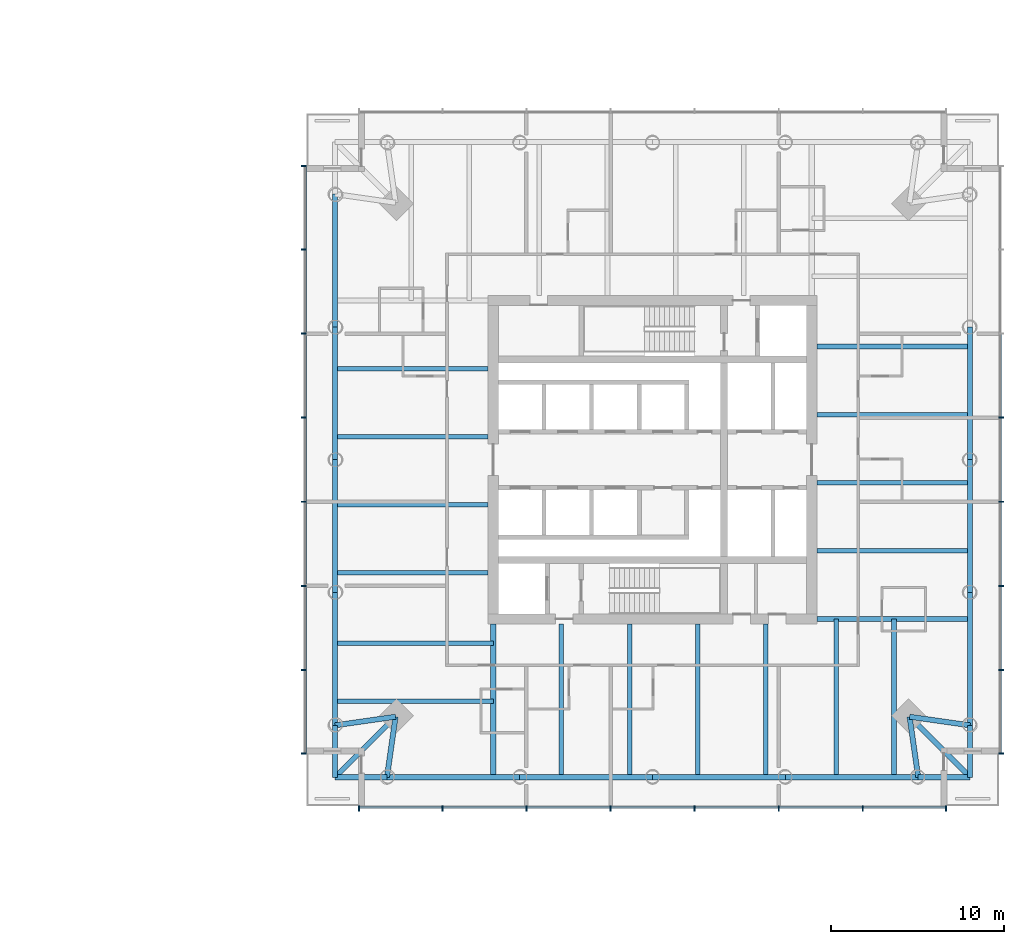
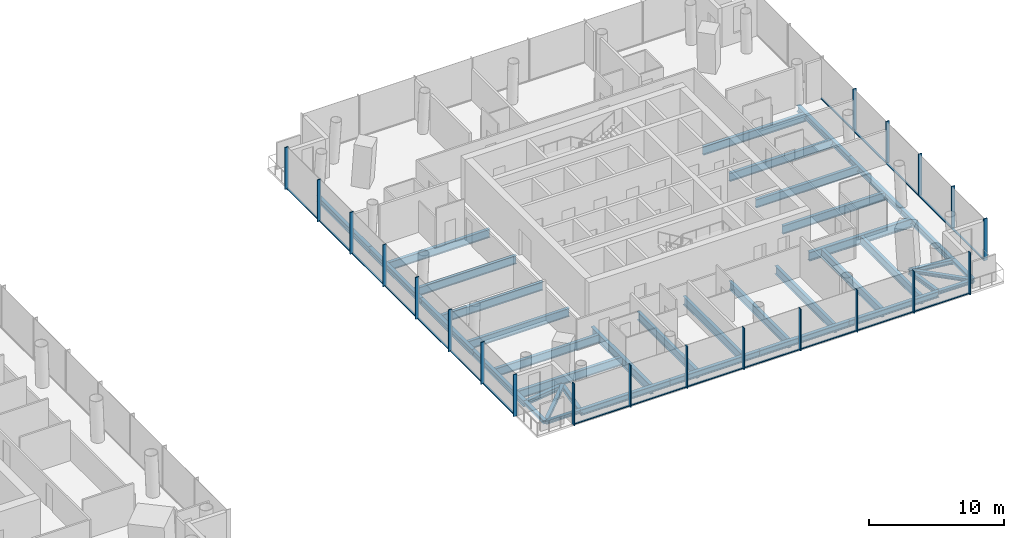
# One storey, part 5 of 26: 40 members, 39 beams, 3 elements without a shape of their own.
"""IFC4 building model written with IfcOpenShell, lengths in metres."""

from ifc_helpers import new_model, si_unit, direction, frame, origin, origin_2d, place, context, subcontext, project, spatial, rectangle, i_section, extrude, material, material_profile, profile_set, type_object, element, aggregate, save


model = new_model("IFC4")

# Units and contexts
model_context = context("Model", 3, precision=1e-05, world=origin(), true_north=direction((0.0, 1.0)))
body_context = subcontext(model_context, "Body", "Model", "MODEL_VIEW")
ifc_project = project(units=[si_unit("LENGTHUNIT", "METRE"), si_unit("AREAUNIT", "SQUARE_METRE"), si_unit("VOLUMEUNIT", "CUBIC_METRE"), si_unit("PLANEANGLEUNIT", "RADIAN"), si_unit("MASSUNIT", "GRAM", prefix="KILO")], contexts=[model_context])

# Site, building, storey
site_placement = place(None, origin())
site = spatial("IfcSite", under=ifc_project, at=site_placement, CompositionType="ELEMENT")
building_placement = place(site_placement, origin())
building = spatial("IfcBuilding", under=site, at=building_placement, Name="Ostroluk Exchange", CompositionType="ELEMENT")
storey_placement = place(building_placement, frame((0.0, 0.0, 36.199951171875)))
storey = spatial("IfcBuildingStorey", under=building, at=storey_placement, Name="L08", CompositionType="ELEMENT", Elevation=36.199951171875)

# Beams
ifc_material_1 = material(Name="Steel S355", Category="steel")
ifc_material_profile_1 = material_profile(ifc_material_1, i_section(OverallWidth=0.300048828125, OverallDepth=0.300048828125, WebThickness=0.010986328125, FlangeThickness=0.01904296875, FilletRadius=0.027099609375, at=origin_2d()), Name="HEB 300")
ifc_profile_set_1 = profile_set([ifc_material_profile_1], Name="Steel S355")
beam_type_1 = type_object("IfcBeamType", Name="Balcony beam HEB 300", PredefinedType="BEAM", material=ifc_profile_set_1)
for number, where, z_axis, x_axis, name in (
    (1, (98.6552734375, 30.6552734375, -0.349853515625), (0.0, -1.0, 0.0), (1.0, 0.0, 0.0), "T2 west balcony beam a"),
    (2, (101.6552734375, 27.6552734375, -0.349853515625), (-1.0, 0.0, 0.0), (0.0, -1.0, 0.0), "T2 west balcony beam b"),
):
    element("IfcBeam", number, at=place(storey_placement, frame(where, z_axis=z_axis, x_axis=x_axis)), inside=storey, type_object=beam_type_1, Name=name, PredefinedType="BEAM", context=body_context, shape_type="SweptSolid", body=[
        extrude(i_section(OverallWidth=0.300048828125, OverallDepth=0.300048828125, WebThickness=0.010986328125, FlangeThickness=0.01904296875, FilletRadius=0.027099609375, at=origin_2d()), origin(), (0.0, 0.0, 1.0), 3.0),
    ])
beam_1_placement = place(storey_placement, frame((102.1552734375, 31.1552734375, -0.349853515625), z_axis=(-0.707106781187, -0.707106781187, 0.0), x_axis=(0.707106781187, -0.707106781187, 0.0)))
element("IfcBeam", 3, at=beam_1_placement, inside=storey, type_object=beam_type_1, Name="T2 west balcony beam c", PredefinedType="BEAM", context=body_context, shape_type="SweptSolid", body=[
    extrude(i_section(OverallWidth=0.300048828125, OverallDepth=0.300048828125, WebThickness=0.010986328125, FlangeThickness=0.01904296875, FilletRadius=0.027099609375, at=origin_2d()), origin(), (0.0, 0.0, 1.0), 4.94970703125),
])
for number, where, z_axis, x_axis, name in (
    (4, (132.3447265625, 27.6552734375, -0.349853515625), (1.0, 0.0, 0.0), (0.0, 1.0, 0.0), "T2 south balcony beam a"),
    (5, (135.3447265625, 30.6552734375, -0.349853515625), (0.0, -1.0, 0.0), (1.0, 0.0, 0.0), "T2 south balcony beam b"),
):
    element("IfcBeam", number, at=place(storey_placement, frame(where, z_axis=z_axis, x_axis=x_axis)), inside=storey, type_object=beam_type_1, Name=name, PredefinedType="BEAM", context=body_context, shape_type="SweptSolid", body=[
        extrude(i_section(OverallWidth=0.300048828125, OverallDepth=0.300048828125, WebThickness=0.010986328125, FlangeThickness=0.01904296875, FilletRadius=0.027099609375, at=origin_2d()), origin(), (0.0, 0.0, 1.0), 3.0),
    ])
beam_2_placement = place(storey_placement, frame((131.8447265625, 31.1552734375, -0.349853515625), z_axis=(0.707106781187, -0.707106781187, 0.0), x_axis=(0.707106781187, 0.707106781187, 0.0)))
element("IfcBeam", 6, at=beam_2_placement, inside=storey, type_object=beam_type_1, Name="T2 south balcony beam c", PredefinedType="BEAM", context=body_context, shape_type="SweptSolid", body=[
    extrude(i_section(OverallWidth=0.300048828125, OverallDepth=0.300048828125, WebThickness=0.010986328125, FlangeThickness=0.01904296875, FilletRadius=0.027099609375, at=origin_2d()), origin(), (0.0, 0.0, 1.0), 4.94970703125),
])
ifc_material_2 = material(Name="Steel S355", Category="steel")
ifc_material_profile_2 = material_profile(ifc_material_2, i_section(OverallWidth=0.300048828125, OverallDepth=0.39990234375, WebThickness=0.013427734375, FlangeThickness=0.02392578125, FilletRadius=0.027099609375, at=origin_2d()), Name="HEB 400")
ifc_profile_set_2 = profile_set([ifc_material_profile_2], Name="Steel S355")
beam_type_2 = type_object("IfcBeamType", Name="Corner edge beam HEB 400", PredefinedType="SPANDREL", material=ifc_profile_set_2)
for number, where, z_axis, x_axis, name in (
    (7, (102.1552734375, 31.1552734375, -0.39990234375), (-0.989949493661, -0.141421356237, 0.0), (0.141421356237, -0.989949493661, 0.0), "T2 west corner edge beam a"),
    (8, (102.1552734375, 31.1552734375, -0.39990234375), (-0.141421356237, -0.989949493661, 0.0), (0.989949493661, -0.141421356237, 0.0), "T2 west corner edge beam b"),
    (9, (131.8447265625, 31.1552734375, -0.39990234375), (0.141421356237, -0.989949493661, 0.0), (0.989949493661, 0.141421356237, 0.0), "T2 south corner edge beam a"),
    (10, (131.8447265625, 31.1552734375, -0.39990234375), (0.989949493661, -0.141421356237, 0.0), (0.141421356237, 0.989949493661, 0.0), "T2 south corner edge beam b"),
):
    element("IfcBeam", number, at=place(storey_placement, frame(where, z_axis=z_axis, x_axis=x_axis)), inside=storey, type_object=beam_type_2, Name=name, PredefinedType="SPANDREL", context=body_context, shape_type="SweptSolid", body=[
        extrude(i_section(OverallWidth=0.300048828125, OverallDepth=0.39990234375, WebThickness=0.013427734375, FlangeThickness=0.02392578125, FilletRadius=0.027099609375, at=origin_2d()), origin(), (0.0, 0.0, 1.0), 3.53564453125),
    ])
ifc_material_3 = material(Name="Steel S355", Category="steel")
ifc_material_profile_3 = material_profile(ifc_material_3, i_section(OverallWidth=0.264892578125, OverallDepth=0.7529296875, WebThickness=0.01318359375, FlangeThickness=0.01708984375, FilletRadius=0.01708984375, at=origin_2d()), Name="IPE 750x147")
ifc_profile_set_3 = profile_set([ifc_material_profile_3], Name="Steel S355")
beam_type_3 = type_object("IfcBeamType", Name="Floor beam IPE 750x147", PredefinedType="BEAM", material=ifc_profile_set_3)
for number, where, z_axis, x_axis, name in (
    (11, (126.5, 40.73486328125, -0.576416015625), (1.0, 0.0, 0.0), (0.0, 1.0, 0.0), "T2 east floor beam 1"),
    (12, (126.5, 44.669921875, -0.576416015625), (1.0, 0.0, 0.0), (0.0, 1.0, 0.0), "T2 east floor beam 2"),
    (13, (126.5, 48.60498046875, -0.576416015625), (1.0, 0.0, 0.0), (0.0, 1.0, 0.0), "T2 east floor beam 3"),
    (14, (126.5, 52.539794921875, -0.576416015625), (1.0, 0.0, 0.0), (0.0, 1.0, 0.0), "T2 east floor beam 4"),
    (15, (107.5, 51.26513671875, -0.576416015625), (-1.0, 0.0, 0.0), (0.0, -1.0, 0.0), "T2 west floor beam 1"),
    (16, (107.5, 47.330078125, -0.576416015625), (-1.0, 0.0, 0.0), (0.0, -1.0, 0.0), "T2 west floor beam 2"),
    (17, (107.5, 43.39501953125, -0.576416015625), (-1.0, 0.0, 0.0), (0.0, -1.0, 0.0), "T2 west floor beam 3"),
    (18, (107.5, 39.460205078125, -0.576416015625), (-1.0, 0.0, 0.0), (0.0, -1.0, 0.0), "T2 west floor beam 4"),
):
    element("IfcBeam", number, at=place(storey_placement, frame(where, z_axis=z_axis, x_axis=x_axis)), inside=storey, type_object=beam_type_3, Name=name, PredefinedType="BEAM", context=body_context, shape_type="SweptSolid", body=[
        extrude(i_section(OverallWidth=0.264892578125, OverallDepth=0.7529296875, WebThickness=0.01318359375, FlangeThickness=0.01708984375, FilletRadius=0.01708984375, at=origin_2d()), origin(), (0.0, 0.0, 1.0), 8.8447265625),
    ])
for number, where, z_axis, x_axis, name in (
    (19, (107.800048828125, 35.39990234375, -0.576416015625), (-1.0, 0.0, 0.0), (0.0, -1.0, 0.0), "T2 west floor beam 5"),
    (20, (107.800048828125, 32.05517578125, -0.576416015625), (-1.0, 0.0, 0.0), (0.0, -1.0, 0.0), "T2 west floor beam 6"),
):
    element("IfcBeam", number, at=place(storey_placement, frame(where, z_axis=z_axis, x_axis=x_axis)), inside=storey, type_object=beam_type_3, Name=name, PredefinedType="BEAM", context=body_context, shape_type="SweptSolid", body=[
        extrude(i_section(OverallWidth=0.264892578125, OverallDepth=0.7529296875, WebThickness=0.01318359375, FlangeThickness=0.01708984375, FilletRadius=0.01708984375, at=origin_2d()), origin(), (0.0, 0.0, 1.0), 9.144775390625),
    ])
for number, where, z_axis, x_axis, name in (
    (21, (111.73486328125, 36.5, -0.576416015625), (0.0, -1.0, 0.0), (1.0, 0.0, 0.0), "T2 south floor beam 1"),
    (22, (115.669921875, 36.5, -0.576416015625), (0.0, -1.0, 0.0), (1.0, 0.0, 0.0), "T2 south floor beam 2"),
    (23, (119.60498046875, 36.5, -0.576416015625), (0.0, -1.0, 0.0), (1.0, 0.0, 0.0), "T2 south floor beam 3"),
    (24, (123.539794921875, 36.5, -0.576416015625), (0.0, -1.0, 0.0), (1.0, 0.0, 0.0), "T2 south floor beam 4"),
):
    element("IfcBeam", number, at=place(storey_placement, frame(where, z_axis=z_axis, x_axis=x_axis)), inside=storey, type_object=beam_type_3, Name=name, PredefinedType="BEAM", context=body_context, shape_type="SweptSolid", body=[
        extrude(i_section(OverallWidth=0.264892578125, OverallDepth=0.7529296875, WebThickness=0.01318359375, FlangeThickness=0.01708984375, FilletRadius=0.01708984375, at=origin_2d()), origin(), (0.0, 0.0, 1.0), 8.8447265625),
    ])
for number, where, z_axis, x_axis, name in (
    (25, (127.60009765625, 36.800048828125, -0.576416015625), (0.0, -1.0, 0.0), (1.0, 0.0, 0.0), "T2 south floor beam 5"),
    (26, (130.94482421875, 36.800048828125, -0.576416015625), (0.0, -1.0, 0.0), (1.0, 0.0, 0.0), "T2 south floor beam 6"),
):
    element("IfcBeam", number, at=place(storey_placement, frame(where, z_axis=z_axis, x_axis=x_axis)), inside=storey, type_object=beam_type_3, Name=name, PredefinedType="BEAM", context=body_context, shape_type="SweptSolid", body=[
        extrude(i_section(OverallWidth=0.264892578125, OverallDepth=0.7529296875, WebThickness=0.01318359375, FlangeThickness=0.01708984375, FilletRadius=0.01708984375, at=origin_2d()), origin(), (0.0, 0.0, 1.0), 9.144775390625),
    ])
ifc_material_4 = material(Name="Steel S355", Category="steel")
ifc_material_profile_4 = material_profile(ifc_material_4, i_section(OverallWidth=0.300048828125, OverallDepth=0.800048828125, WebThickness=0.017578125, FlangeThickness=0.032958984375, FilletRadius=0.030029296875, at=origin_2d()), Name="HEB 800")
ifc_profile_set_4 = profile_set([ifc_material_profile_4], Name="Steel S355")
beam_type_4 = type_object("IfcBeamType", Name="Girder HEB 800", PredefinedType="BEAM", material=ifc_profile_set_4)
for number, where, z_axis, x_axis, name in (
    (27, (107.800048828125, 36.5, -0.599853515625), (0.0, -1.0, 0.0), (1.0, 0.0, 0.0), "T2 west girder"),
    (28, (126.5, 36.800048828125, -0.599853515625), (1.0, 0.0, 0.0), (0.0, 1.0, 0.0), "T2 south girder"),
):
    element("IfcBeam", number, at=place(storey_placement, frame(where, z_axis=z_axis, x_axis=x_axis)), inside=storey, type_object=beam_type_4, Name=name, PredefinedType="BEAM", context=body_context, shape_type="SweptSolid", body=[
        extrude(i_section(OverallWidth=0.300048828125, OverallDepth=0.800048828125, WebThickness=0.017578125, FlangeThickness=0.032958984375, FilletRadius=0.030029296875, at=origin_2d()), origin(), (0.0, 0.0, 1.0), 8.8447265625),
    ])
ifc_material_5 = material(Name="Steel S355", Category="steel")
ifc_material_profile_5 = material_profile(ifc_material_5, i_section(OverallWidth=0.300048828125, OverallDepth=0.550048828125, WebThickness=0.014892578125, FlangeThickness=0.029052734375, FilletRadius=0.027099609375, at=origin_2d()), Name="HEB 550")
ifc_profile_set_5 = profile_set([ifc_material_profile_5], Name="Steel S355")
beam_type_5 = type_object("IfcBeamType", Name="Moment-connected edge beam HEB 550", PredefinedType="SPANDREL", material=ifc_profile_set_5)
for number, where, z_axis, x_axis, name in (
    (29, (135.3447265625, 30.6552734375, -0.474853515625), (0.0, 1.0, 0.0), (-1.0, 0.0, 0.0), "T2 east edge beam 1"),
    (30, (135.3447265625, 38.32763671875, -0.474853515625), (0.0, 1.0, 0.0), (-1.0, 0.0, 0.0), "T2 east edge beam 2"),
    (31, (135.3447265625, 46.0, -0.474853515625), (0.0, 1.0, 0.0), (-1.0, 0.0, 0.0), "T2 east edge beam 3"),
    (32, (98.6552734375, 61.3447265625, -0.474853515625), (0.0, -1.0, 0.0), (1.0, 0.0, 0.0), "T2 west edge beam 1"),
    (33, (98.6552734375, 53.67236328125, -0.474853515625), (0.0, -1.0, 0.0), (1.0, 0.0, 0.0), "T2 west edge beam 2"),
    (34, (98.6552734375, 46.0, -0.474853515625), (0.0, -1.0, 0.0), (1.0, 0.0, 0.0), "T2 west edge beam 3"),
    (35, (98.6552734375, 38.32763671875, -0.474853515625), (0.0, -1.0, 0.0), (1.0, 0.0, 0.0), "T2 west edge beam 4"),
    (36, (101.6552734375, 27.6552734375, -0.474853515625), (1.0, 0.0, 0.0), (0.0, 1.0, 0.0), "T2 south edge beam 1"),
    (37, (109.32763671875, 27.6552734375, -0.474853515625), (1.0, 0.0, 0.0), (0.0, 1.0, 0.0), "T2 south edge beam 2"),
    (38, (117.0, 27.6552734375, -0.474853515625), (1.0, 0.0, 0.0), (0.0, 1.0, 0.0), "T2 south edge beam 3"),
    (39, (124.67236328125, 27.6552734375, -0.474853515625), (1.0, 0.0, 0.0), (0.0, 1.0, 0.0), "T2 south edge beam 4"),
):
    element("IfcBeam", number, at=place(storey_placement, frame(where, z_axis=z_axis, x_axis=x_axis)), inside=storey, type_object=beam_type_5, Name=name, PredefinedType="SPANDREL", context=body_context, shape_type="SweptSolid", body=[
        extrude(i_section(OverallWidth=0.300048828125, OverallDepth=0.550048828125, WebThickness=0.014892578125, FlangeThickness=0.029052734375, FilletRadius=0.027099609375, at=origin_2d()), origin(), (0.0, 0.0, 1.0), 7.67236328125),
    ])

# Curtain wall, members
ifc_material_6 = material(Name="Laminated clear glass", Category="glass")
curtain_wall_type = type_object("IfcCurtainWallType", Name="Hotel guest floor facade", PredefinedType="USERDEFINED", material=ifc_material_6)
curtain_wall_1_placement = place(storey_placement, origin())
curtain_wall_1 = element("IfcCurtainWall", 40, at=curtain_wall_1_placement, inside=storey, type_object=curtain_wall_type, Name="Hotel tower south facade L08", ObjectType="UNITISED CURTAIN WALL", PredefinedType="USERDEFINED")
ifc_material_7 = material(Name="Aluminium mullion", Category="aluminium")
ifc_material_profile_6 = material_profile(ifc_material_7, rectangle(XDim=0.14990234375, YDim=0.080078125, at=origin_2d()), Name="Sill transom 80 x 150")
ifc_profile_set_6 = profile_set([ifc_material_profile_6], Name="Aluminium mullion")
member_type_1 = type_object("IfcMemberType", Name="Sill transom 80 x 150", PredefinedType="USERDEFINED", material=ifc_profile_set_6)
member_1_placement = place(storey_placement, frame((100.080078125, 25.925048828125, 0.0400390625), z_axis=(1.0, 0.0, 0.0), x_axis=(0.0, 1.0, 0.0)))
member_1 = element("IfcMember", 41, at=member_1_placement, type_object=member_type_1, Name="CW-H1 transom 1.1", ObjectType="TRANSOM", PredefinedType="USERDEFINED", context=body_context, shape_type="SweptSolid", body=[
    extrude(rectangle(XDim=0.14990234375, YDim=0.080078125, at=origin_2d()), origin(), (0.0, 0.0, 1.0), 4.737060546875),
])
member_2_placement = place(storey_placement, frame((104.897216796875, 25.925048828125, 0.0400390625), z_axis=(1.0, 0.0, 0.0), x_axis=(0.0, 1.0, 0.0)))
member_2 = element("IfcMember", 42, at=member_2_placement, type_object=member_type_1, Name="CW-H1 transom 2.1", ObjectType="TRANSOM", PredefinedType="USERDEFINED", context=body_context, shape_type="SweptSolid", body=[
    extrude(rectangle(XDim=0.14990234375, YDim=0.080078125, at=origin_2d()), origin(), (0.0, 0.0, 1.0), 4.777099609375),
])
member_3_placement = place(storey_placement, frame((109.75439453125, 25.925048828125, 0.0400390625), z_axis=(1.0, 0.0, 0.0), x_axis=(0.0, 1.0, 0.0)))
member_3 = element("IfcMember", 43, at=member_3_placement, type_object=member_type_1, Name="CW-H1 transom 3.1", ObjectType="TRANSOM", PredefinedType="USERDEFINED", context=body_context, shape_type="SweptSolid", body=[
    extrude(rectangle(XDim=0.14990234375, YDim=0.080078125, at=origin_2d()), origin(), (0.0, 0.0, 1.0), 4.777099609375),
])
member_4_placement = place(storey_placement, frame((114.611328125, 25.925048828125, 0.0400390625), z_axis=(1.0, 0.0, 0.0), x_axis=(0.0, 1.0, 0.0)))
member_4 = element("IfcMember", 44, at=member_4_placement, type_object=member_type_1, Name="CW-H1 transom 4.1", ObjectType="TRANSOM", PredefinedType="USERDEFINED", context=body_context, shape_type="SweptSolid", body=[
    extrude(rectangle(XDim=0.14990234375, YDim=0.080078125, at=origin_2d()), origin(), (0.0, 0.0, 1.0), 4.77734375),
])
member_5_placement = place(storey_placement, frame((119.468505859375, 25.925048828125, 0.0400390625), z_axis=(1.0, 0.0, 0.0), x_axis=(0.0, 1.0, 0.0)))
member_5 = element("IfcMember", 45, at=member_5_placement, type_object=member_type_1, Name="CW-H1 transom 5.1", ObjectType="TRANSOM", PredefinedType="USERDEFINED", context=body_context, shape_type="SweptSolid", body=[
    extrude(rectangle(XDim=0.14990234375, YDim=0.080078125, at=origin_2d()), origin(), (0.0, 0.0, 1.0), 4.777099609375),
])
member_6_placement = place(storey_placement, frame((124.32568359375, 25.925048828125, 0.0400390625), z_axis=(1.0, 0.0, 0.0), x_axis=(0.0, 1.0, 0.0)))
member_6 = element("IfcMember", 46, at=member_6_placement, type_object=member_type_1, Name="CW-H1 transom 6.1", ObjectType="TRANSOM", PredefinedType="USERDEFINED", context=body_context, shape_type="SweptSolid", body=[
    extrude(rectangle(XDim=0.14990234375, YDim=0.080078125, at=origin_2d()), origin(), (0.0, 0.0, 1.0), 4.777099609375),
])
member_7_placement = place(storey_placement, frame((129.182861328125, 25.925048828125, 0.0400390625), z_axis=(1.0, 0.0, 0.0), x_axis=(0.0, 1.0, 0.0)))
member_7 = element("IfcMember", 47, at=member_7_placement, type_object=member_type_1, Name="CW-H1 transom 7.1", ObjectType="TRANSOM", PredefinedType="USERDEFINED", context=body_context, shape_type="SweptSolid", body=[
    extrude(rectangle(XDim=0.14990234375, YDim=0.080078125, at=origin_2d()), origin(), (0.0, 0.0, 1.0), 4.737060546875),
])

curtain_wall_2_placement = place(storey_placement, origin())
curtain_wall_2 = element("IfcCurtainWall", 48, at=curtain_wall_2_placement, inside=storey, type_object=curtain_wall_type, Name="Hotel tower east facade L08", ObjectType="UNITISED CURTAIN WALL", PredefinedType="USERDEFINED")
member_8_placement = place(storey_placement, frame((137.074951171875, 29.080078125, 0.0400390625), z_axis=(0.0, 1.0, 0.0), x_axis=(-1.0, 0.0, 0.0)))
member_8 = element("IfcMember", 49, at=member_8_placement, type_object=member_type_1, Name="CW-H1 transom 1.1", ObjectType="TRANSOM", PredefinedType="USERDEFINED", context=body_context, shape_type="SweptSolid", body=[
    extrude(rectangle(XDim=0.14990234375, YDim=0.080078125, at=origin_2d()), origin(), (0.0, 0.0, 1.0), 4.737060546875),
])
member_9_placement = place(storey_placement, frame((137.074951171875, 33.897216796875, 0.0400390625), z_axis=(0.0, 1.0, 0.0), x_axis=(-1.0, 0.0, 0.0)))
member_9 = element("IfcMember", 50, at=member_9_placement, type_object=member_type_1, Name="CW-H1 transom 2.1", ObjectType="TRANSOM", PredefinedType="USERDEFINED", context=body_context, shape_type="SweptSolid", body=[
    extrude(rectangle(XDim=0.14990234375, YDim=0.080078125, at=origin_2d()), origin(), (0.0, 0.0, 1.0), 4.777099609375),
])
member_10_placement = place(storey_placement, frame((137.074951171875, 38.75439453125, 0.0400390625), z_axis=(0.0, 1.0, 0.0), x_axis=(-1.0, 0.0, 0.0)))
member_10 = element("IfcMember", 51, at=member_10_placement, type_object=member_type_1, Name="CW-H1 transom 3.1", ObjectType="TRANSOM", PredefinedType="USERDEFINED", context=body_context, shape_type="SweptSolid", body=[
    extrude(rectangle(XDim=0.14990234375, YDim=0.080078125, at=origin_2d()), origin(), (0.0, 0.0, 1.0), 4.777099609375),
])
member_11_placement = place(storey_placement, frame((137.074951171875, 43.611328125, 0.0400390625), z_axis=(0.0, 1.0, 0.0), x_axis=(-1.0, 0.0, 0.0)))
member_11 = element("IfcMember", 52, at=member_11_placement, type_object=member_type_1, Name="CW-H1 transom 4.1", ObjectType="TRANSOM", PredefinedType="USERDEFINED", context=body_context, shape_type="SweptSolid", body=[
    extrude(rectangle(XDim=0.14990234375, YDim=0.080078125, at=origin_2d()), origin(), (0.0, 0.0, 1.0), 4.77734375),
])
member_12_placement = place(storey_placement, frame((137.074951171875, 48.468505859375, 0.0400390625), z_axis=(0.0, 1.0, 0.0), x_axis=(-1.0, 0.0, 0.0)))
member_12 = element("IfcMember", 53, at=member_12_placement, type_object=member_type_1, Name="CW-H1 transom 5.1", ObjectType="TRANSOM", PredefinedType="USERDEFINED", context=body_context, shape_type="SweptSolid", body=[
    extrude(rectangle(XDim=0.14990234375, YDim=0.080078125, at=origin_2d()), origin(), (0.0, 0.0, 1.0), 4.777099609375),
])

curtain_wall_3_placement = place(storey_placement, origin())
curtain_wall_3 = element("IfcCurtainWall", 54, at=curtain_wall_3_placement, inside=storey, type_object=curtain_wall_type, Name="Hotel tower west facade L08", ObjectType="UNITISED CURTAIN WALL", PredefinedType="USERDEFINED")
member_13_placement = place(storey_placement, frame((96.925048828125, 62.919921875, 0.0400390625), z_axis=(0.0, -1.0, 0.0), x_axis=(1.0, 0.0, 0.0)))
member_13 = element("IfcMember", 55, at=member_13_placement, type_object=member_type_1, Name="CW-H1 transom 1.1", ObjectType="TRANSOM", PredefinedType="USERDEFINED", context=body_context, shape_type="SweptSolid", body=[
    extrude(rectangle(XDim=0.14990234375, YDim=0.080078125, at=origin_2d()), origin(), (0.0, 0.0, 1.0), 4.737060546875),
])
member_14_placement = place(storey_placement, frame((96.925048828125, 58.102783203125, 0.0400390625), z_axis=(0.0, -1.0, 0.0), x_axis=(1.0, 0.0, 0.0)))
member_14 = element("IfcMember", 56, at=member_14_placement, type_object=member_type_1, Name="CW-H1 transom 2.1", ObjectType="TRANSOM", PredefinedType="USERDEFINED", context=body_context, shape_type="SweptSolid", body=[
    extrude(rectangle(XDim=0.14990234375, YDim=0.080078125, at=origin_2d()), origin(), (0.0, 0.0, 1.0), 4.777099609375),
])
member_15_placement = place(storey_placement, frame((96.925048828125, 53.24560546875, 0.0400390625), z_axis=(0.0, -1.0, 0.0), x_axis=(1.0, 0.0, 0.0)))
member_15 = element("IfcMember", 57, at=member_15_placement, type_object=member_type_1, Name="CW-H1 transom 3.1", ObjectType="TRANSOM", PredefinedType="USERDEFINED", context=body_context, shape_type="SweptSolid", body=[
    extrude(rectangle(XDim=0.14990234375, YDim=0.080078125, at=origin_2d()), origin(), (0.0, 0.0, 1.0), 4.777099609375),
])
member_16_placement = place(storey_placement, frame((96.925048828125, 48.388671875, 0.0400390625), z_axis=(0.0, -1.0, 0.0), x_axis=(1.0, 0.0, 0.0)))
member_16 = element("IfcMember", 58, at=member_16_placement, type_object=member_type_1, Name="CW-H1 transom 4.1", ObjectType="TRANSOM", PredefinedType="USERDEFINED", context=body_context, shape_type="SweptSolid", body=[
    extrude(rectangle(XDim=0.14990234375, YDim=0.080078125, at=origin_2d()), origin(), (0.0, 0.0, 1.0), 4.77734375),
])
member_17_placement = place(storey_placement, frame((96.925048828125, 43.531494140625, 0.0400390625), z_axis=(0.0, -1.0, 0.0), x_axis=(1.0, 0.0, 0.0)))
member_17 = element("IfcMember", 59, at=member_17_placement, type_object=member_type_1, Name="CW-H1 transom 5.1", ObjectType="TRANSOM", PredefinedType="USERDEFINED", context=body_context, shape_type="SweptSolid", body=[
    extrude(rectangle(XDim=0.14990234375, YDim=0.080078125, at=origin_2d()), origin(), (0.0, 0.0, 1.0), 4.777099609375),
])
member_18_placement = place(storey_placement, frame((96.925048828125, 38.67431640625, 0.0400390625), z_axis=(0.0, -1.0, 0.0), x_axis=(1.0, 0.0, 0.0)))
member_18 = element("IfcMember", 60, at=member_18_placement, type_object=member_type_1, Name="CW-H1 transom 6.1", ObjectType="TRANSOM", PredefinedType="USERDEFINED", context=body_context, shape_type="SweptSolid", body=[
    extrude(rectangle(XDim=0.14990234375, YDim=0.080078125, at=origin_2d()), origin(), (0.0, 0.0, 1.0), 4.777099609375),
])
member_19_placement = place(storey_placement, frame((96.925048828125, 33.817138671875, 0.0400390625), z_axis=(0.0, -1.0, 0.0), x_axis=(1.0, 0.0, 0.0)))
member_19 = element("IfcMember", 61, at=member_19_placement, type_object=member_type_1, Name="CW-H1 transom 7.1", ObjectType="TRANSOM", PredefinedType="USERDEFINED", context=body_context, shape_type="SweptSolid", body=[
    extrude(rectangle(XDim=0.14990234375, YDim=0.080078125, at=origin_2d()), origin(), (0.0, 0.0, 1.0), 4.737060546875),
])

# Member
ifc_material_8 = material(Name="Aluminium mullion with limestone facing", Category="masonry")
ifc_material_profile_7 = material_profile(ifc_material_8, rectangle(XDim=0.300048828125, YDim=0.080078125, at=origin_2d()), Name="Tracery mullion 80 x 300")
ifc_profile_set_7 = profile_set([ifc_material_profile_7], Name="Aluminium mullion with limestone facing")
member_type_2 = type_object("IfcMemberType", Name="Tracery mullion 80 x 300", PredefinedType="MULLION", material=ifc_profile_set_7)
member_20_placement = place(storey_placement, frame((100.0400390625, 25.85009765625, 0.0), z_axis=(0.0, 0.0, 1.0), x_axis=(0.0, 1.0, 0.0)))
member_20 = element("IfcMember", 62, at=member_20_placement, type_object=member_type_2, Name="CW-H1 mullion 1", PredefinedType="MULLION", context=body_context, shape_type="SweptSolid", body=[
    extrude(rectangle(XDim=0.300048828125, YDim=0.080078125, at=origin_2d()), origin(), (0.0, 0.0, 1.0), 3.800048828125),
])

member_21_placement = place(storey_placement, frame((104.857177734375, 25.85009765625, 0.0), z_axis=(0.0, 0.0, 1.0), x_axis=(0.0, 1.0, 0.0)))
member_21 = element("IfcMember", 63, at=member_21_placement, type_object=member_type_2, Name="CW-H1 mullion 2", PredefinedType="MULLION", context=body_context, shape_type="SweptSolid", body=[
    extrude(rectangle(XDim=0.300048828125, YDim=0.080078125, at=origin_2d()), origin(), (0.0, 0.0, 1.0), 3.800048828125),
])

member_22_placement = place(storey_placement, frame((109.71435546875, 25.85009765625, 0.0), z_axis=(0.0, 0.0, 1.0), x_axis=(0.0, 1.0, 0.0)))
member_22 = element("IfcMember", 64, at=member_22_placement, type_object=member_type_2, Name="CW-H1 mullion 3", PredefinedType="MULLION", context=body_context, shape_type="SweptSolid", body=[
    extrude(rectangle(XDim=0.300048828125, YDim=0.080078125, at=origin_2d()), origin(), (0.0, 0.0, 1.0), 3.800048828125),
])

member_23_placement = place(storey_placement, frame((114.571533203125, 25.85009765625, 0.0), z_axis=(0.0, 0.0, 1.0), x_axis=(0.0, 1.0, 0.0)))
member_23 = element("IfcMember", 65, at=member_23_placement, type_object=member_type_2, Name="CW-H1 mullion 4", PredefinedType="MULLION", context=body_context, shape_type="SweptSolid", body=[
    extrude(rectangle(XDim=0.300048828125, YDim=0.080078125, at=origin_2d()), origin(), (0.0, 0.0, 1.0), 3.800048828125),
])

member_24_placement = place(storey_placement, frame((119.428466796875, 25.85009765625, 0.0), z_axis=(0.0, 0.0, 1.0), x_axis=(0.0, 1.0, 0.0)))
member_24 = element("IfcMember", 66, at=member_24_placement, type_object=member_type_2, Name="CW-H1 mullion 5", PredefinedType="MULLION", context=body_context, shape_type="SweptSolid", body=[
    extrude(rectangle(XDim=0.300048828125, YDim=0.080078125, at=origin_2d()), origin(), (0.0, 0.0, 1.0), 3.800048828125),
])

member_25_placement = place(storey_placement, frame((124.28564453125, 25.85009765625, 0.0), z_axis=(0.0, 0.0, 1.0), x_axis=(0.0, 1.0, 0.0)))
member_25 = element("IfcMember", 67, at=member_25_placement, type_object=member_type_2, Name="CW-H1 mullion 6", PredefinedType="MULLION", context=body_context, shape_type="SweptSolid", body=[
    extrude(rectangle(XDim=0.300048828125, YDim=0.080078125, at=origin_2d()), origin(), (0.0, 0.0, 1.0), 3.800048828125),
])

member_26_placement = place(storey_placement, frame((129.142822265625, 25.85009765625, 0.0), z_axis=(0.0, 0.0, 1.0), x_axis=(0.0, 1.0, 0.0)))
member_26 = element("IfcMember", 68, at=member_26_placement, type_object=member_type_2, Name="CW-H1 mullion 7", PredefinedType="MULLION", context=body_context, shape_type="SweptSolid", body=[
    extrude(rectangle(XDim=0.300048828125, YDim=0.080078125, at=origin_2d()), origin(), (0.0, 0.0, 1.0), 3.800048828125),
])

member_27_placement = place(storey_placement, frame((133.9599609375, 25.85009765625, 0.0), z_axis=(0.0, 0.0, 1.0), x_axis=(0.0, 1.0, 0.0)))
member_27 = element("IfcMember", 69, at=member_27_placement, type_object=member_type_2, Name="CW-H1 mullion 8", PredefinedType="MULLION", context=body_context, shape_type="SweptSolid", body=[
    extrude(rectangle(XDim=0.300048828125, YDim=0.080078125, at=origin_2d()), origin(), (0.0, 0.0, 1.0), 3.800048828125),
])

aggregate(curtain_wall_1, [member_20, member_21, member_22, member_23, member_24, member_25, member_26, member_27, member_1, member_2, member_3, member_4, member_5, member_6, member_7])

member_28_placement = place(storey_placement, frame((137.14990234375, 29.0400390625, 0.0), z_axis=(0.0, 0.0, 1.0), x_axis=(-1.0, 0.0, 0.0)))
member_28 = element("IfcMember", 70, at=member_28_placement, type_object=member_type_2, Name="CW-H1 mullion 1", PredefinedType="MULLION", context=body_context, shape_type="SweptSolid", body=[
    extrude(rectangle(XDim=0.300048828125, YDim=0.080078125, at=origin_2d()), origin(), (0.0, 0.0, 1.0), 3.800048828125),
])

member_29_placement = place(storey_placement, frame((137.14990234375, 33.857177734375, 0.0), z_axis=(0.0, 0.0, 1.0), x_axis=(-1.0, 0.0, 0.0)))
member_29 = element("IfcMember", 71, at=member_29_placement, type_object=member_type_2, Name="CW-H1 mullion 2", PredefinedType="MULLION", context=body_context, shape_type="SweptSolid", body=[
    extrude(rectangle(XDim=0.300048828125, YDim=0.080078125, at=origin_2d()), origin(), (0.0, 0.0, 1.0), 3.800048828125),
])

member_30_placement = place(storey_placement, frame((137.14990234375, 38.71435546875, 0.0), z_axis=(0.0, 0.0, 1.0), x_axis=(-1.0, 0.0, 0.0)))
member_30 = element("IfcMember", 72, at=member_30_placement, type_object=member_type_2, Name="CW-H1 mullion 3", PredefinedType="MULLION", context=body_context, shape_type="SweptSolid", body=[
    extrude(rectangle(XDim=0.300048828125, YDim=0.080078125, at=origin_2d()), origin(), (0.0, 0.0, 1.0), 3.800048828125),
])

member_31_placement = place(storey_placement, frame((137.14990234375, 43.571533203125, 0.0), z_axis=(0.0, 0.0, 1.0), x_axis=(-1.0, 0.0, 0.0)))
member_31 = element("IfcMember", 73, at=member_31_placement, type_object=member_type_2, Name="CW-H1 mullion 4", PredefinedType="MULLION", context=body_context, shape_type="SweptSolid", body=[
    extrude(rectangle(XDim=0.300048828125, YDim=0.080078125, at=origin_2d()), origin(), (0.0, 0.0, 1.0), 3.800048828125),
])

member_32_placement = place(storey_placement, frame((137.14990234375, 48.428466796875, 0.0), z_axis=(0.0, 0.0, 1.0), x_axis=(-1.0, 0.0, 0.0)))
member_32 = element("IfcMember", 74, at=member_32_placement, type_object=member_type_2, Name="CW-H1 mullion 5", PredefinedType="MULLION", context=body_context, shape_type="SweptSolid", body=[
    extrude(rectangle(XDim=0.300048828125, YDim=0.080078125, at=origin_2d()), origin(), (0.0, 0.0, 1.0), 3.800048828125),
])

aggregate(curtain_wall_2, [member_28, member_29, member_30, member_31, member_32, member_8, member_9, member_10, member_11, member_12])

member_33_placement = place(storey_placement, frame((96.85009765625, 62.9599609375, 0.0), z_axis=(0.0, 0.0, 1.0), x_axis=(1.0, 0.0, 0.0)))
member_33 = element("IfcMember", 75, at=member_33_placement, type_object=member_type_2, Name="CW-H1 mullion 1", PredefinedType="MULLION", context=body_context, shape_type="SweptSolid", body=[
    extrude(rectangle(XDim=0.300048828125, YDim=0.080078125, at=origin_2d()), origin(), (0.0, 0.0, 1.0), 3.800048828125),
])

member_34_placement = place(storey_placement, frame((96.85009765625, 58.142822265625, 0.0), z_axis=(0.0, 0.0, 1.0), x_axis=(1.0, 0.0, 0.0)))
member_34 = element("IfcMember", 76, at=member_34_placement, type_object=member_type_2, Name="CW-H1 mullion 2", PredefinedType="MULLION", context=body_context, shape_type="SweptSolid", body=[
    extrude(rectangle(XDim=0.300048828125, YDim=0.080078125, at=origin_2d()), origin(), (0.0, 0.0, 1.0), 3.800048828125),
])

member_35_placement = place(storey_placement, frame((96.85009765625, 53.28564453125, 0.0), z_axis=(0.0, 0.0, 1.0), x_axis=(1.0, 0.0, 0.0)))
member_35 = element("IfcMember", 77, at=member_35_placement, type_object=member_type_2, Name="CW-H1 mullion 3", PredefinedType="MULLION", context=body_context, shape_type="SweptSolid", body=[
    extrude(rectangle(XDim=0.300048828125, YDim=0.080078125, at=origin_2d()), origin(), (0.0, 0.0, 1.0), 3.800048828125),
])

member_36_placement = place(storey_placement, frame((96.85009765625, 48.428466796875, 0.0), z_axis=(0.0, 0.0, 1.0), x_axis=(1.0, 0.0, 0.0)))
member_36 = element("IfcMember", 78, at=member_36_placement, type_object=member_type_2, Name="CW-H1 mullion 4", PredefinedType="MULLION", context=body_context, shape_type="SweptSolid", body=[
    extrude(rectangle(XDim=0.300048828125, YDim=0.080078125, at=origin_2d()), origin(), (0.0, 0.0, 1.0), 3.800048828125),
])

member_37_placement = place(storey_placement, frame((96.85009765625, 43.571533203125, 0.0), z_axis=(0.0, 0.0, 1.0), x_axis=(1.0, 0.0, 0.0)))
member_37 = element("IfcMember", 79, at=member_37_placement, type_object=member_type_2, Name="CW-H1 mullion 5", PredefinedType="MULLION", context=body_context, shape_type="SweptSolid", body=[
    extrude(rectangle(XDim=0.300048828125, YDim=0.080078125, at=origin_2d()), origin(), (0.0, 0.0, 1.0), 3.800048828125),
])

member_38_placement = place(storey_placement, frame((96.85009765625, 38.71435546875, 0.0), z_axis=(0.0, 0.0, 1.0), x_axis=(1.0, 0.0, 0.0)))
member_38 = element("IfcMember", 80, at=member_38_placement, type_object=member_type_2, Name="CW-H1 mullion 6", PredefinedType="MULLION", context=body_context, shape_type="SweptSolid", body=[
    extrude(rectangle(XDim=0.300048828125, YDim=0.080078125, at=origin_2d()), origin(), (0.0, 0.0, 1.0), 3.800048828125),
])

member_39_placement = place(storey_placement, frame((96.85009765625, 33.857177734375, 0.0), z_axis=(0.0, 0.0, 1.0), x_axis=(1.0, 0.0, 0.0)))
member_39 = element("IfcMember", 81, at=member_39_placement, type_object=member_type_2, Name="CW-H1 mullion 7", PredefinedType="MULLION", context=body_context, shape_type="SweptSolid", body=[
    extrude(rectangle(XDim=0.300048828125, YDim=0.080078125, at=origin_2d()), origin(), (0.0, 0.0, 1.0), 3.800048828125),
])

member_40_placement = place(storey_placement, frame((96.85009765625, 29.0400390625, 0.0), z_axis=(0.0, 0.0, 1.0), x_axis=(1.0, 0.0, 0.0)))
member_40 = element("IfcMember", 82, at=member_40_placement, type_object=member_type_2, Name="CW-H1 mullion 8", PredefinedType="MULLION", context=body_context, shape_type="SweptSolid", body=[
    extrude(rectangle(XDim=0.300048828125, YDim=0.080078125, at=origin_2d()), origin(), (0.0, 0.0, 1.0), 3.800048828125),
])

aggregate(curtain_wall_3, [member_33, member_34, member_35, member_36, member_37, member_38, member_39, member_40, member_13, member_14, member_15, member_16, member_17, member_18, member_19])

save(model, "model.ifc")
